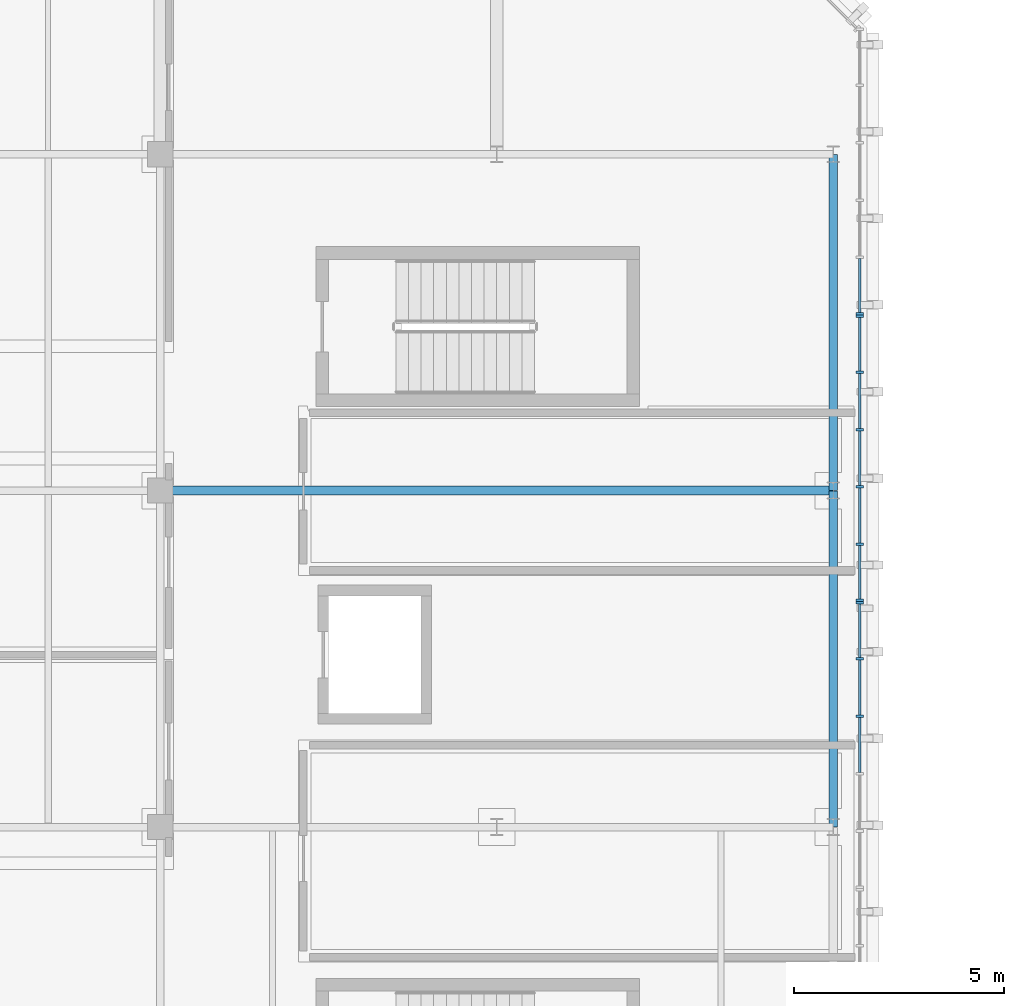
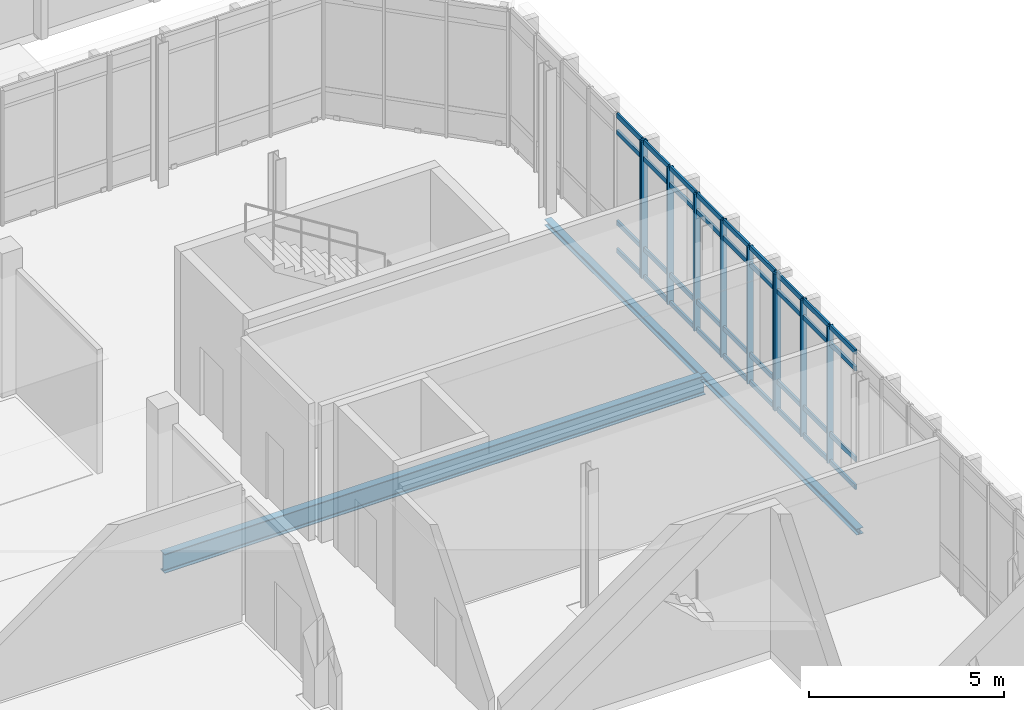
# One storey, part 11 of 62: 46 members, 3 beams, 3 elements without a shape of their own.
"""IFC4 building model written with IfcOpenShell, lengths in metres."""

from ifc_helpers import new_model, si_unit, direction, frame, origin, origin_2d, place, context, subcontext, project, spatial, rectangle, i_section, extrude, material, material_profile, profile_set, type_object, element, aggregate, save


model = new_model("IFC4")

# Units and contexts
model_context = context("Model", 3, precision=1e-05, world=origin(), true_north=direction((0.0, 1.0)))
body_context = subcontext(model_context, "Body", "Model", "MODEL_VIEW")
ifc_project = project(units=[si_unit("LENGTHUNIT", "METRE"), si_unit("AREAUNIT", "SQUARE_METRE"), si_unit("VOLUMEUNIT", "CUBIC_METRE"), si_unit("PLANEANGLEUNIT", "RADIAN"), si_unit("MASSUNIT", "GRAM", prefix="KILO")], contexts=[model_context])

# Site, building, storey
site_placement = place(None, origin())
site = spatial("IfcSite", under=ifc_project, at=site_placement, CompositionType="ELEMENT")
building_placement = place(site_placement, origin())
building = spatial("IfcBuilding", under=site, at=building_placement, Name="Cymarion Research Institute", CompositionType="ELEMENT")
storey_placement = place(building_placement, frame((0.0, 0.0, 18.300048828125)))
storey = spatial("IfcBuildingStorey", under=building, at=storey_placement, Name="L04", CompositionType="ELEMENT", Elevation=18.300048828125)

# Curtain wall, members
ifc_material_1 = material(Name="Anodised aluminium unitised curtain wall with Low-E glazing", Category="aluminium")
curtain_wall_type = type_object("IfcCurtainWallType", Name="UNITISED CURTAIN WALL CW40 6820X4280", PredefinedType="NOTDEFINED", material=ifc_material_1)
curtain_wall_1_placement = place(storey_placement, origin())
curtain_wall_1 = element("IfcCurtainWall", 1, at=curtain_wall_1_placement, inside=storey, type_object=curtain_wall_type, Name="L04 V4 unitised curtain wall CW40 #178", PredefinedType="NOTDEFINED")
ifc_material_2 = material(Name="Anodised aluminium framing", Category="aluminium")
ifc_material_profile_1 = material_profile(ifc_material_2, rectangle(XDim=0.06005859375, YDim=0.179931640625, at=origin_2d()), Name="ALU MULLION 60x180")
ifc_profile_set_1 = profile_set([ifc_material_profile_1], Name="Anodised aluminium framing")
member_type_1 = type_object("IfcMemberType", Name="CURTAIN WALL MULLION ML01 60X180", PredefinedType="MULLION", material=ifc_profile_set_1)
member_1_placement = place(storey_placement, frame((47.22998046875, 58.13330078125, 0.0), z_axis=(0.0, 0.0, 1.0), x_axis=(0.0, 1.0, 0.0)))
member_1 = element("IfcMember", 2, at=member_1_placement, type_object=member_type_1, Name="CW40 mullion 4", PredefinedType="MULLION", context=body_context, shape_type="SweptSolid", body=[
    extrude(rectangle(XDim=0.06005859375, YDim=0.179931640625, at=origin_2d()), origin(), (0.0, 0.0, 1.0), 4.280029296875),
])
member_2_placement = place(storey_placement, frame((47.22998046875, 59.4970703125, 0.0), z_axis=(0.0, 0.0, 1.0), x_axis=(0.0, 1.0, 0.0)))
member_2 = element("IfcMember", 3, at=member_2_placement, type_object=member_type_1, Name="CW40 mullion 5", PredefinedType="MULLION", context=body_context, shape_type="SweptSolid", body=[
    extrude(rectangle(XDim=0.06005859375, YDim=0.179931640625, at=origin_2d()), origin(), (0.0, 0.0, 1.0), 4.280029296875),
])
member_3_placement = place(storey_placement, frame((47.22998046875, 60.8310546875, 0.0), z_axis=(0.0, 0.0, 1.0), x_axis=(0.0, 1.0, 0.0)))
member_3 = element("IfcMember", 4, at=member_3_placement, type_object=member_type_1, Name="CW40 mullion 6", PredefinedType="MULLION", context=body_context, shape_type="SweptSolid", body=[
    extrude(rectangle(XDim=0.06005859375, YDim=0.179931640625, at=origin_2d()), origin(), (0.0, 0.0, 1.0), 4.280029296875),
])

curtain_wall_2_placement = place(storey_placement, origin())
curtain_wall_2 = element("IfcCurtainWall", 5, at=curtain_wall_2_placement, inside=storey, type_object=curtain_wall_type, Name="L04 V4 unitised curtain wall CW40 #179", PredefinedType="NOTDEFINED")
member_4_placement = place(storey_placement, frame((47.22998046875, 60.89111328125, 0.0), z_axis=(0.0, 0.0, 1.0), x_axis=(0.0, 1.0, 0.0)))
member_4 = element("IfcMember", 6, at=member_4_placement, type_object=member_type_1, Name="CW40 mullion 1", PredefinedType="MULLION", context=body_context, shape_type="SweptSolid", body=[
    extrude(rectangle(XDim=0.06005859375, YDim=0.179931640625, at=origin_2d()), origin(), (0.0, 0.0, 1.0), 4.280029296875),
])
member_5_placement = place(storey_placement, frame((47.22998046875, 62.224853515625, 0.0), z_axis=(0.0, 0.0, 1.0), x_axis=(0.0, 1.0, 0.0)))
member_5 = element("IfcMember", 7, at=member_5_placement, type_object=member_type_1, Name="CW40 mullion 2", PredefinedType="MULLION", context=body_context, shape_type="SweptSolid", body=[
    extrude(rectangle(XDim=0.06005859375, YDim=0.179931640625, at=origin_2d()), origin(), (0.0, 0.0, 1.0), 4.280029296875),
])
member_6_placement = place(storey_placement, frame((47.22998046875, 63.5888671875, 0.0), z_axis=(0.0, 0.0, 1.0), x_axis=(0.0, 1.0, 0.0)))
member_6 = element("IfcMember", 8, at=member_6_placement, type_object=member_type_1, Name="CW40 mullion 3", PredefinedType="MULLION", context=body_context, shape_type="SweptSolid", body=[
    extrude(rectangle(XDim=0.06005859375, YDim=0.179931640625, at=origin_2d()), origin(), (0.0, 0.0, 1.0), 4.280029296875),
])
member_7_placement = place(storey_placement, frame((47.22998046875, 64.95263671875, 0.0), z_axis=(0.0, 0.0, 1.0), x_axis=(0.0, 1.0, 0.0)))
member_7 = element("IfcMember", 9, at=member_7_placement, type_object=member_type_1, Name="CW40 mullion 4", PredefinedType="MULLION", context=body_context, shape_type="SweptSolid", body=[
    extrude(rectangle(XDim=0.06005859375, YDim=0.179931640625, at=origin_2d()), origin(), (0.0, 0.0, 1.0), 4.280029296875),
])
member_8_placement = place(storey_placement, frame((47.22998046875, 66.316650390625, 0.0), z_axis=(0.0, 0.0, 1.0), x_axis=(0.0, 1.0, 0.0)))
member_8 = element("IfcMember", 10, at=member_8_placement, type_object=member_type_1, Name="CW40 mullion 5", PredefinedType="MULLION", context=body_context, shape_type="SweptSolid", body=[
    extrude(rectangle(XDim=0.06005859375, YDim=0.179931640625, at=origin_2d()), origin(), (0.0, 0.0, 1.0), 4.280029296875),
])
member_9_placement = place(storey_placement, frame((47.22998046875, 67.650390625, 0.0), z_axis=(0.0, 0.0, 1.0), x_axis=(0.0, 1.0, 0.0)))
member_9 = element("IfcMember", 11, at=member_9_placement, type_object=member_type_1, Name="CW40 mullion 6", PredefinedType="MULLION", context=body_context, shape_type="SweptSolid", body=[
    extrude(rectangle(XDim=0.06005859375, YDim=0.179931640625, at=origin_2d()), origin(), (0.0, 0.0, 1.0), 4.280029296875),
])

# Curtain wall, member
curtain_wall_3_placement = place(storey_placement, origin())
curtain_wall_3 = element("IfcCurtainWall", 12, at=curtain_wall_3_placement, inside=storey, type_object=curtain_wall_type, Name="L04 V4 unitised curtain wall CW40 #180", PredefinedType="NOTDEFINED")
member_10_placement = place(storey_placement, frame((47.22998046875, 67.71044921875, 0.0), z_axis=(0.0, 0.0, 1.0), x_axis=(0.0, 1.0, 0.0)))
member_10 = element("IfcMember", 13, at=member_10_placement, type_object=member_type_1, Name="CW40 mullion 1", PredefinedType="MULLION", context=body_context, shape_type="SweptSolid", body=[
    extrude(rectangle(XDim=0.06005859375, YDim=0.179931640625, at=origin_2d()), origin(), (0.0, 0.0, 1.0), 4.280029296875),
])

# Member
ifc_material_profile_2 = material_profile(ifc_material_2, rectangle(XDim=0.06005859375, YDim=0.14990234375, at=origin_2d()), Name="ALU TRANSOM 60x150")
ifc_profile_set_2 = profile_set([ifc_material_profile_2], Name="Anodised aluminium framing")
member_type_2 = type_object("IfcMemberType", Name="CURTAIN WALL TRANSOM TR01 60X150", PredefinedType="USERDEFINED", material=ifc_profile_set_2)
member_11_placement = place(storey_placement, frame((47.22998046875, 56.79931640625, 0.030029296875), z_axis=(0.0, 1.0, 0.0), x_axis=(-1.0, 0.0, 0.0)))
member_11 = element("IfcMember", 14, at=member_11_placement, type_object=member_type_2, Name="CW40 transom 3.1", ObjectType="TRANSOM", PredefinedType="USERDEFINED", context=body_context, shape_type="SweptSolid", body=[
    extrude(rectangle(XDim=0.06005859375, YDim=0.14990234375, at=origin_2d()), origin(), (0.0, 0.0, 1.0), 1.303955078125),
])

member_12_placement = place(storey_placement, frame((47.22998046875, 56.79931640625, 0.89990234375), z_axis=(0.0, 1.0, 0.0), x_axis=(-1.0, 0.0, 0.0)))
member_12 = element("IfcMember", 15, at=member_12_placement, type_object=member_type_2, Name="CW40 transom 3.2", ObjectType="TRANSOM", PredefinedType="USERDEFINED", context=body_context, shape_type="SweptSolid", body=[
    extrude(rectangle(XDim=0.06005859375, YDim=0.14990234375, at=origin_2d()), origin(), (0.0, 0.0, 1.0), 1.303955078125),
])

member_13_placement = place(storey_placement, frame((47.22998046875, 56.79931640625, 3.72998046875), z_axis=(0.0, 1.0, 0.0), x_axis=(-1.0, 0.0, 0.0)))
member_13 = element("IfcMember", 16, at=member_13_placement, type_object=member_type_2, Name="CW40 transom 3.3", ObjectType="TRANSOM", PredefinedType="USERDEFINED", context=body_context, shape_type="SweptSolid", body=[
    extrude(rectangle(XDim=0.06005859375, YDim=0.14990234375, at=origin_2d()), origin(), (0.0, 0.0, 1.0), 1.303955078125),
])

member_14_placement = place(storey_placement, frame((47.22998046875, 56.79931640625, 4.25), z_axis=(0.0, 1.0, 0.0), x_axis=(-1.0, 0.0, 0.0)))
member_14 = element("IfcMember", 17, at=member_14_placement, type_object=member_type_2, Name="CW40 transom 3.4", ObjectType="TRANSOM", PredefinedType="USERDEFINED", context=body_context, shape_type="SweptSolid", body=[
    extrude(rectangle(XDim=0.06005859375, YDim=0.14990234375, at=origin_2d()), origin(), (0.0, 0.0, 1.0), 1.303955078125),
])

member_15_placement = place(storey_placement, frame((47.22998046875, 58.1630859375, 0.030029296875), z_axis=(0.0, 1.0, 0.0), x_axis=(-1.0, 0.0, 0.0)))
member_15 = element("IfcMember", 18, at=member_15_placement, type_object=member_type_2, Name="CW40 transom 4.1", ObjectType="TRANSOM", PredefinedType="USERDEFINED", context=body_context, shape_type="SweptSolid", body=[
    extrude(rectangle(XDim=0.06005859375, YDim=0.14990234375, at=origin_2d()), origin(), (0.0, 0.0, 1.0), 1.303955078125),
])

member_16_placement = place(storey_placement, frame((47.22998046875, 58.1630859375, 0.89990234375), z_axis=(0.0, 1.0, 0.0), x_axis=(-1.0, 0.0, 0.0)))
member_16 = element("IfcMember", 19, at=member_16_placement, type_object=member_type_2, Name="CW40 transom 4.2", ObjectType="TRANSOM", PredefinedType="USERDEFINED", context=body_context, shape_type="SweptSolid", body=[
    extrude(rectangle(XDim=0.06005859375, YDim=0.14990234375, at=origin_2d()), origin(), (0.0, 0.0, 1.0), 1.303955078125),
])

member_17_placement = place(storey_placement, frame((47.22998046875, 58.1630859375, 3.72998046875), z_axis=(0.0, 1.0, 0.0), x_axis=(-1.0, 0.0, 0.0)))
member_17 = element("IfcMember", 20, at=member_17_placement, type_object=member_type_2, Name="CW40 transom 4.3", ObjectType="TRANSOM", PredefinedType="USERDEFINED", context=body_context, shape_type="SweptSolid", body=[
    extrude(rectangle(XDim=0.06005859375, YDim=0.14990234375, at=origin_2d()), origin(), (0.0, 0.0, 1.0), 1.303955078125),
])

member_18_placement = place(storey_placement, frame((47.22998046875, 58.1630859375, 4.25), z_axis=(0.0, 1.0, 0.0), x_axis=(-1.0, 0.0, 0.0)))
member_18 = element("IfcMember", 21, at=member_18_placement, type_object=member_type_2, Name="CW40 transom 4.4", ObjectType="TRANSOM", PredefinedType="USERDEFINED", context=body_context, shape_type="SweptSolid", body=[
    extrude(rectangle(XDim=0.06005859375, YDim=0.14990234375, at=origin_2d()), origin(), (0.0, 0.0, 1.0), 1.303955078125),
])

member_19_placement = place(storey_placement, frame((47.22998046875, 59.527099609375, 0.030029296875), z_axis=(0.0, 1.0, 0.0), x_axis=(-1.0, 0.0, 0.0)))
member_19 = element("IfcMember", 22, at=member_19_placement, type_object=member_type_2, Name="CW40 transom 5.1", ObjectType="TRANSOM", PredefinedType="USERDEFINED", context=body_context, shape_type="SweptSolid", body=[
    extrude(rectangle(XDim=0.06005859375, YDim=0.14990234375, at=origin_2d()), origin(), (0.0, 0.0, 1.0), 1.27392578125),
])

member_20_placement = place(storey_placement, frame((47.22998046875, 59.527099609375, 0.89990234375), z_axis=(0.0, 1.0, 0.0), x_axis=(-1.0, 0.0, 0.0)))
member_20 = element("IfcMember", 23, at=member_20_placement, type_object=member_type_2, Name="CW40 transom 5.2", ObjectType="TRANSOM", PredefinedType="USERDEFINED", context=body_context, shape_type="SweptSolid", body=[
    extrude(rectangle(XDim=0.06005859375, YDim=0.14990234375, at=origin_2d()), origin(), (0.0, 0.0, 1.0), 1.27392578125),
])

member_21_placement = place(storey_placement, frame((47.22998046875, 59.527099609375, 3.72998046875), z_axis=(0.0, 1.0, 0.0), x_axis=(-1.0, 0.0, 0.0)))
member_21 = element("IfcMember", 24, at=member_21_placement, type_object=member_type_2, Name="CW40 transom 5.3", ObjectType="TRANSOM", PredefinedType="USERDEFINED", context=body_context, shape_type="SweptSolid", body=[
    extrude(rectangle(XDim=0.06005859375, YDim=0.14990234375, at=origin_2d()), origin(), (0.0, 0.0, 1.0), 1.27392578125),
])

member_22_placement = place(storey_placement, frame((47.22998046875, 59.527099609375, 4.25), z_axis=(0.0, 1.0, 0.0), x_axis=(-1.0, 0.0, 0.0)))
member_22 = element("IfcMember", 25, at=member_22_placement, type_object=member_type_2, Name="CW40 transom 5.4", ObjectType="TRANSOM", PredefinedType="USERDEFINED", context=body_context, shape_type="SweptSolid", body=[
    extrude(rectangle(XDim=0.06005859375, YDim=0.14990234375, at=origin_2d()), origin(), (0.0, 0.0, 1.0), 1.27392578125),
])

aggregate(curtain_wall_1, [member_1, member_2, member_3, member_11, member_12, member_13, member_14, member_15, member_16, member_17, member_18, member_19, member_20, member_21, member_22])

member_23_placement = place(storey_placement, frame((47.22998046875, 60.9208984375, 0.030029296875), z_axis=(0.0, 1.0, 0.0), x_axis=(-1.0, 0.0, 0.0)))
member_23 = element("IfcMember", 26, at=member_23_placement, type_object=member_type_2, Name="CW40 transom 1.1", ObjectType="TRANSOM", PredefinedType="USERDEFINED", context=body_context, shape_type="SweptSolid", body=[
    extrude(rectangle(XDim=0.06005859375, YDim=0.14990234375, at=origin_2d()), origin(), (0.0, 0.0, 1.0), 1.27392578125),
])

member_24_placement = place(storey_placement, frame((47.22998046875, 60.9208984375, 0.89990234375), z_axis=(0.0, 1.0, 0.0), x_axis=(-1.0, 0.0, 0.0)))
member_24 = element("IfcMember", 27, at=member_24_placement, type_object=member_type_2, Name="CW40 transom 1.2", ObjectType="TRANSOM", PredefinedType="USERDEFINED", context=body_context, shape_type="SweptSolid", body=[
    extrude(rectangle(XDim=0.06005859375, YDim=0.14990234375, at=origin_2d()), origin(), (0.0, 0.0, 1.0), 1.27392578125),
])

member_25_placement = place(storey_placement, frame((47.22998046875, 60.9208984375, 3.72998046875), z_axis=(0.0, 1.0, 0.0), x_axis=(-1.0, 0.0, 0.0)))
member_25 = element("IfcMember", 28, at=member_25_placement, type_object=member_type_2, Name="CW40 transom 1.3", ObjectType="TRANSOM", PredefinedType="USERDEFINED", context=body_context, shape_type="SweptSolid", body=[
    extrude(rectangle(XDim=0.06005859375, YDim=0.14990234375, at=origin_2d()), origin(), (0.0, 0.0, 1.0), 1.27392578125),
])

member_26_placement = place(storey_placement, frame((47.22998046875, 60.9208984375, 4.25), z_axis=(0.0, 1.0, 0.0), x_axis=(-1.0, 0.0, 0.0)))
member_26 = element("IfcMember", 29, at=member_26_placement, type_object=member_type_2, Name="CW40 transom 1.4", ObjectType="TRANSOM", PredefinedType="USERDEFINED", context=body_context, shape_type="SweptSolid", body=[
    extrude(rectangle(XDim=0.06005859375, YDim=0.14990234375, at=origin_2d()), origin(), (0.0, 0.0, 1.0), 1.27392578125),
])

member_27_placement = place(storey_placement, frame((47.22998046875, 62.2548828125, 0.030029296875), z_axis=(0.0, 1.0, 0.0), x_axis=(-1.0, 0.0, 0.0)))
member_27 = element("IfcMember", 30, at=member_27_placement, type_object=member_type_2, Name="CW40 transom 2.1", ObjectType="TRANSOM", PredefinedType="USERDEFINED", context=body_context, shape_type="SweptSolid", body=[
    extrude(rectangle(XDim=0.06005859375, YDim=0.14990234375, at=origin_2d()), origin(), (0.0, 0.0, 1.0), 1.303955078125),
])

member_28_placement = place(storey_placement, frame((47.22998046875, 62.2548828125, 0.89990234375), z_axis=(0.0, 1.0, 0.0), x_axis=(-1.0, 0.0, 0.0)))
member_28 = element("IfcMember", 31, at=member_28_placement, type_object=member_type_2, Name="CW40 transom 2.2", ObjectType="TRANSOM", PredefinedType="USERDEFINED", context=body_context, shape_type="SweptSolid", body=[
    extrude(rectangle(XDim=0.06005859375, YDim=0.14990234375, at=origin_2d()), origin(), (0.0, 0.0, 1.0), 1.303955078125),
])

member_29_placement = place(storey_placement, frame((47.22998046875, 62.2548828125, 3.72998046875), z_axis=(0.0, 1.0, 0.0), x_axis=(-1.0, 0.0, 0.0)))
member_29 = element("IfcMember", 32, at=member_29_placement, type_object=member_type_2, Name="CW40 transom 2.3", ObjectType="TRANSOM", PredefinedType="USERDEFINED", context=body_context, shape_type="SweptSolid", body=[
    extrude(rectangle(XDim=0.06005859375, YDim=0.14990234375, at=origin_2d()), origin(), (0.0, 0.0, 1.0), 1.303955078125),
])

member_30_placement = place(storey_placement, frame((47.22998046875, 62.2548828125, 4.25), z_axis=(0.0, 1.0, 0.0), x_axis=(-1.0, 0.0, 0.0)))
member_30 = element("IfcMember", 33, at=member_30_placement, type_object=member_type_2, Name="CW40 transom 2.4", ObjectType="TRANSOM", PredefinedType="USERDEFINED", context=body_context, shape_type="SweptSolid", body=[
    extrude(rectangle(XDim=0.06005859375, YDim=0.14990234375, at=origin_2d()), origin(), (0.0, 0.0, 1.0), 1.303955078125),
])

member_31_placement = place(storey_placement, frame((47.22998046875, 63.618896484375, 0.030029296875), z_axis=(0.0, 1.0, 0.0), x_axis=(-1.0, 0.0, 0.0)))
member_31 = element("IfcMember", 34, at=member_31_placement, type_object=member_type_2, Name="CW40 transom 3.1", ObjectType="TRANSOM", PredefinedType="USERDEFINED", context=body_context, shape_type="SweptSolid", body=[
    extrude(rectangle(XDim=0.06005859375, YDim=0.14990234375, at=origin_2d()), origin(), (0.0, 0.0, 1.0), 1.3037109375),
])

member_32_placement = place(storey_placement, frame((47.22998046875, 63.618896484375, 0.89990234375), z_axis=(0.0, 1.0, 0.0), x_axis=(-1.0, 0.0, 0.0)))
member_32 = element("IfcMember", 35, at=member_32_placement, type_object=member_type_2, Name="CW40 transom 3.2", ObjectType="TRANSOM", PredefinedType="USERDEFINED", context=body_context, shape_type="SweptSolid", body=[
    extrude(rectangle(XDim=0.06005859375, YDim=0.14990234375, at=origin_2d()), origin(), (0.0, 0.0, 1.0), 1.3037109375),
])

member_33_placement = place(storey_placement, frame((47.22998046875, 63.618896484375, 3.72998046875), z_axis=(0.0, 1.0, 0.0), x_axis=(-1.0, 0.0, 0.0)))
member_33 = element("IfcMember", 36, at=member_33_placement, type_object=member_type_2, Name="CW40 transom 3.3", ObjectType="TRANSOM", PredefinedType="USERDEFINED", context=body_context, shape_type="SweptSolid", body=[
    extrude(rectangle(XDim=0.06005859375, YDim=0.14990234375, at=origin_2d()), origin(), (0.0, 0.0, 1.0), 1.3037109375),
])

member_34_placement = place(storey_placement, frame((47.22998046875, 63.618896484375, 4.25), z_axis=(0.0, 1.0, 0.0), x_axis=(-1.0, 0.0, 0.0)))
member_34 = element("IfcMember", 37, at=member_34_placement, type_object=member_type_2, Name="CW40 transom 3.4", ObjectType="TRANSOM", PredefinedType="USERDEFINED", context=body_context, shape_type="SweptSolid", body=[
    extrude(rectangle(XDim=0.06005859375, YDim=0.14990234375, at=origin_2d()), origin(), (0.0, 0.0, 1.0), 1.3037109375),
])

member_35_placement = place(storey_placement, frame((47.22998046875, 64.982666015625, 0.030029296875), z_axis=(0.0, 1.0, 0.0), x_axis=(-1.0, 0.0, 0.0)))
member_35 = element("IfcMember", 38, at=member_35_placement, type_object=member_type_2, Name="CW40 transom 4.1", ObjectType="TRANSOM", PredefinedType="USERDEFINED", context=body_context, shape_type="SweptSolid", body=[
    extrude(rectangle(XDim=0.06005859375, YDim=0.14990234375, at=origin_2d()), origin(), (0.0, 0.0, 1.0), 1.303955078125),
])

member_36_placement = place(storey_placement, frame((47.22998046875, 64.982666015625, 0.89990234375), z_axis=(0.0, 1.0, 0.0), x_axis=(-1.0, 0.0, 0.0)))
member_36 = element("IfcMember", 39, at=member_36_placement, type_object=member_type_2, Name="CW40 transom 4.2", ObjectType="TRANSOM", PredefinedType="USERDEFINED", context=body_context, shape_type="SweptSolid", body=[
    extrude(rectangle(XDim=0.06005859375, YDim=0.14990234375, at=origin_2d()), origin(), (0.0, 0.0, 1.0), 1.303955078125),
])

member_37_placement = place(storey_placement, frame((47.22998046875, 64.982666015625, 3.72998046875), z_axis=(0.0, 1.0, 0.0), x_axis=(-1.0, 0.0, 0.0)))
member_37 = element("IfcMember", 40, at=member_37_placement, type_object=member_type_2, Name="CW40 transom 4.3", ObjectType="TRANSOM", PredefinedType="USERDEFINED", context=body_context, shape_type="SweptSolid", body=[
    extrude(rectangle(XDim=0.06005859375, YDim=0.14990234375, at=origin_2d()), origin(), (0.0, 0.0, 1.0), 1.303955078125),
])

member_38_placement = place(storey_placement, frame((47.22998046875, 64.982666015625, 4.25), z_axis=(0.0, 1.0, 0.0), x_axis=(-1.0, 0.0, 0.0)))
member_38 = element("IfcMember", 41, at=member_38_placement, type_object=member_type_2, Name="CW40 transom 4.4", ObjectType="TRANSOM", PredefinedType="USERDEFINED", context=body_context, shape_type="SweptSolid", body=[
    extrude(rectangle(XDim=0.06005859375, YDim=0.14990234375, at=origin_2d()), origin(), (0.0, 0.0, 1.0), 1.303955078125),
])

member_39_placement = place(storey_placement, frame((47.22998046875, 66.3466796875, 0.030029296875), z_axis=(0.0, 1.0, 0.0), x_axis=(-1.0, 0.0, 0.0)))
member_39 = element("IfcMember", 42, at=member_39_placement, type_object=member_type_2, Name="CW40 transom 5.1", ObjectType="TRANSOM", PredefinedType="USERDEFINED", context=body_context, shape_type="SweptSolid", body=[
    extrude(rectangle(XDim=0.06005859375, YDim=0.14990234375, at=origin_2d()), origin(), (0.0, 0.0, 1.0), 1.27392578125),
])

member_40_placement = place(storey_placement, frame((47.22998046875, 66.3466796875, 0.89990234375), z_axis=(0.0, 1.0, 0.0), x_axis=(-1.0, 0.0, 0.0)))
member_40 = element("IfcMember", 43, at=member_40_placement, type_object=member_type_2, Name="CW40 transom 5.2", ObjectType="TRANSOM", PredefinedType="USERDEFINED", context=body_context, shape_type="SweptSolid", body=[
    extrude(rectangle(XDim=0.06005859375, YDim=0.14990234375, at=origin_2d()), origin(), (0.0, 0.0, 1.0), 1.27392578125),
])

member_41_placement = place(storey_placement, frame((47.22998046875, 66.3466796875, 3.72998046875), z_axis=(0.0, 1.0, 0.0), x_axis=(-1.0, 0.0, 0.0)))
member_41 = element("IfcMember", 44, at=member_41_placement, type_object=member_type_2, Name="CW40 transom 5.3", ObjectType="TRANSOM", PredefinedType="USERDEFINED", context=body_context, shape_type="SweptSolid", body=[
    extrude(rectangle(XDim=0.06005859375, YDim=0.14990234375, at=origin_2d()), origin(), (0.0, 0.0, 1.0), 1.27392578125),
])

member_42_placement = place(storey_placement, frame((47.22998046875, 66.3466796875, 4.25), z_axis=(0.0, 1.0, 0.0), x_axis=(-1.0, 0.0, 0.0)))
member_42 = element("IfcMember", 45, at=member_42_placement, type_object=member_type_2, Name="CW40 transom 5.4", ObjectType="TRANSOM", PredefinedType="USERDEFINED", context=body_context, shape_type="SweptSolid", body=[
    extrude(rectangle(XDim=0.06005859375, YDim=0.14990234375, at=origin_2d()), origin(), (0.0, 0.0, 1.0), 1.27392578125),
])

aggregate(curtain_wall_2, [member_4, member_5, member_6, member_7, member_8, member_9, member_23, member_24, member_25, member_26, member_27, member_28, member_29, member_30, member_31, member_32, member_33, member_34, member_35, member_36, member_37, member_38, member_39, member_40, member_41, member_42])

member_43_placement = place(storey_placement, frame((47.22998046875, 67.740478515625, 0.030029296875), z_axis=(0.0, 1.0, 0.0), x_axis=(-1.0, 0.0, 0.0)))
member_43 = element("IfcMember", 46, at=member_43_placement, type_object=member_type_2, Name="CW40 transom 1.1", ObjectType="TRANSOM", PredefinedType="USERDEFINED", context=body_context, shape_type="SweptSolid", body=[
    extrude(rectangle(XDim=0.06005859375, YDim=0.14990234375, at=origin_2d()), origin(), (0.0, 0.0, 1.0), 1.27392578125),
])

member_44_placement = place(storey_placement, frame((47.22998046875, 67.740478515625, 0.89990234375), z_axis=(0.0, 1.0, 0.0), x_axis=(-1.0, 0.0, 0.0)))
member_44 = element("IfcMember", 47, at=member_44_placement, type_object=member_type_2, Name="CW40 transom 1.2", ObjectType="TRANSOM", PredefinedType="USERDEFINED", context=body_context, shape_type="SweptSolid", body=[
    extrude(rectangle(XDim=0.06005859375, YDim=0.14990234375, at=origin_2d()), origin(), (0.0, 0.0, 1.0), 1.27392578125),
])

member_45_placement = place(storey_placement, frame((47.22998046875, 67.740478515625, 3.72998046875), z_axis=(0.0, 1.0, 0.0), x_axis=(-1.0, 0.0, 0.0)))
member_45 = element("IfcMember", 48, at=member_45_placement, type_object=member_type_2, Name="CW40 transom 1.3", ObjectType="TRANSOM", PredefinedType="USERDEFINED", context=body_context, shape_type="SweptSolid", body=[
    extrude(rectangle(XDim=0.06005859375, YDim=0.14990234375, at=origin_2d()), origin(), (0.0, 0.0, 1.0), 1.27392578125),
])

member_46_placement = place(storey_placement, frame((47.22998046875, 67.740478515625, 4.25), z_axis=(0.0, 1.0, 0.0), x_axis=(-1.0, 0.0, 0.0)))
member_46 = element("IfcMember", 49, at=member_46_placement, type_object=member_type_2, Name="CW40 transom 1.4", ObjectType="TRANSOM", PredefinedType="USERDEFINED", context=body_context, shape_type="SweptSolid", body=[
    extrude(rectangle(XDim=0.06005859375, YDim=0.14990234375, at=origin_2d()), origin(), (0.0, 0.0, 1.0), 1.27392578125),
])

aggregate(curtain_wall_3, [member_10, member_43, member_44, member_45, member_46])

# Beams
ifc_material_3 = material(Name="Steel S355", Category="steel")
ifc_material_profile_3 = material_profile(ifc_material_3, i_section(OverallWidth=0.219970703125, OverallDepth=0.60009765625, WebThickness=0.011962890625, FlangeThickness=0.01904296875, FilletRadius=0.02392578125, at=origin_2d()), Name="IPE 600")
ifc_profile_set_3 = profile_set([ifc_material_profile_3], Name="Steel S355")
beam_type_1 = type_object("IfcBeamType", Name="PRIMARY GIRDER BM01 IPE 600", PredefinedType="BEAM", material=ifc_profile_set_3)
beam_placement = place(storey_placement, frame((30.60595703125, 63.5, -0.550048828125), z_axis=(1.0, 0.0, 0.0), x_axis=(0.0, 1.0, 0.0)))
element("IfcBeam", 50, at=beam_placement, inside=storey, type_object=beam_type_1, Name="L04 V4 girder BM01 #1715", PredefinedType="BEAM", context=body_context, shape_type="SweptSolid", body=[
    extrude(i_section(OverallWidth=0.219970703125, OverallDepth=0.60009765625, WebThickness=0.011962890625, FlangeThickness=0.01904296875, FilletRadius=0.02392578125, at=origin_2d()), origin(), (0.0, 0.0, 1.0), 15.988037109375),
])
ifc_material_profile_4 = material_profile(ifc_material_3, i_section(OverallWidth=0.199951171875, OverallDepth=0.18994140625, WebThickness=0.006591796875, FlangeThickness=0.010009765625, FilletRadius=0.01806640625, at=origin_2d()), Name="HEA 200")
ifc_profile_set_4 = profile_set([ifc_material_profile_4], Name="Steel S355")
beam_type_2 = type_object("IfcBeamType", Name="SPANDREL BEAM SPB04 HEA 200", PredefinedType="SPANDREL", material=ifc_profile_set_4)
for number, where, z_axis, x_axis, name in (
    (51, (46.60009765625, 55.506103515625, -0.344970703125), (0.0, 1.0, 0.0), (-1.0, 0.0, 0.0), "L04 V4 girder SPB04 #1747"),
    (52, (46.60009765625, 63.506103515625, -0.344970703125), (0.0, 1.0, 0.0), (-1.0, 0.0, 0.0), "L04 V4 girder SPB04 #1748"),
):
    element("IfcBeam", number, at=place(storey_placement, frame(where, z_axis=z_axis, x_axis=x_axis)), inside=storey, type_object=beam_type_2, Name=name, PredefinedType="SPANDREL", context=body_context, shape_type="SweptSolid", body=[
        extrude(i_section(OverallWidth=0.199951171875, OverallDepth=0.18994140625, WebThickness=0.006591796875, FlangeThickness=0.010009765625, FilletRadius=0.01806640625, at=origin_2d()), origin(), (0.0, 0.0, 1.0), 7.98779296875),
    ])

save(model, "model.ifc")
